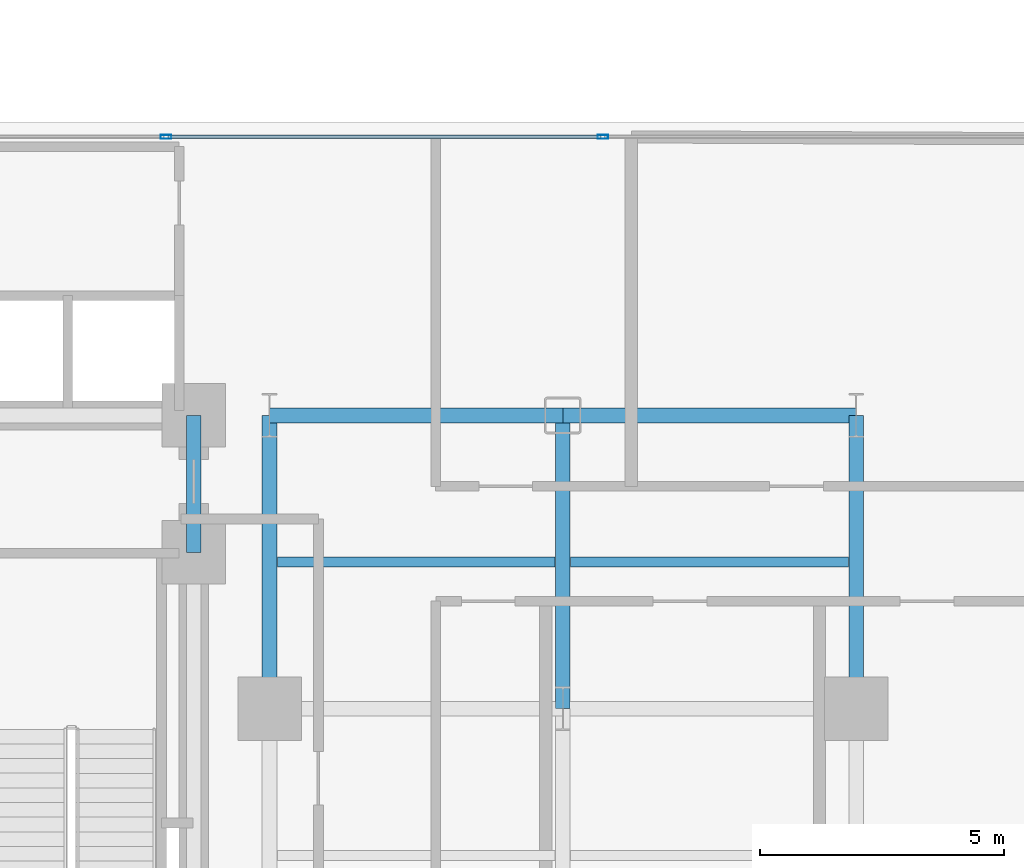
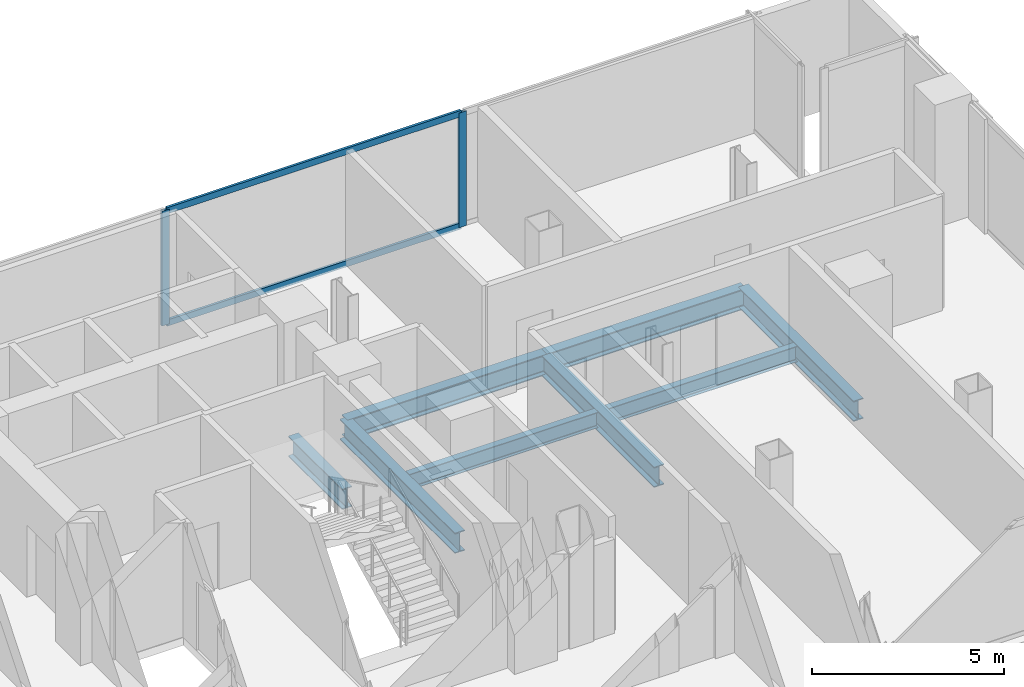
# One storey, part 11 of 25: 8 beams, 4 members, 1 element without a shape of its own.
"""IFC4 building model written with IfcOpenShell, lengths in metres."""

from ifc_helpers import new_model, si_unit, direction, frame, origin, origin_2d, place, context, subcontext, project, spatial, hollow_rectangle, i_section, extrude, material, layer, layer_set, material_profile, profile_set, type_object, element, aggregate, save


model = new_model("IFC4")

# Units and contexts
model_context = context("Model", 3, precision=1e-05, world=origin(), true_north=direction((0.0, 1.0)))
body_context = subcontext(model_context, "Body", "Model", "MODEL_VIEW")
ifc_project = project(units=[si_unit("LENGTHUNIT", "METRE"), si_unit("AREAUNIT", "SQUARE_METRE"), si_unit("VOLUMEUNIT", "CUBIC_METRE"), si_unit("PLANEANGLEUNIT", "RADIAN"), si_unit("MASSUNIT", "GRAM", prefix="KILO"), si_unit("THERMODYNAMICTEMPERATUREUNIT", "KELVIN"), si_unit("POWERUNIT", "WATT")], contexts=[model_context])

# Site, building, storey
site_placement = place(None, origin())
site = spatial("IfcSite", under=ifc_project, at=site_placement, CompositionType="ELEMENT")
building_placement = place(site_placement, origin())
building = spatial("IfcBuilding", under=site, at=building_placement, Name="Svarakhadi Broadcast Tower", CompositionType="ELEMENT")
storey_placement = place(building_placement, frame((0.0, 0.0, 79.199951171875)))
storey = spatial("IfcBuildingStorey", under=building, at=storey_placement, Name="L18", CompositionType="ELEMENT", Elevation=79.199951171875)

# Beams
ifc_material_1 = material(Name="Steel S355J2 (IS 2062 E350C)", Category="steel")
ifc_material_profile_1 = material_profile(ifc_material_1, i_section(OverallWidth=0.199951171875, OverallDepth=0.5, WebThickness=0.01025390625, FlangeThickness=0.01611328125, FilletRadius=0.02099609375, at=origin_2d()), Name="NPB 500x200x91")
ifc_profile_set_1 = profile_set([ifc_material_profile_1], Name="Steel S355J2 (IS 2062 E350C)")
beam_type_1 = type_object("IfcBeamType", Name="Beam_NPB500", PredefinedType="BEAM", material=ifc_profile_set_1)
for number, where, z_axis, x_axis, name in (
    (1, (35.31005859375, 15.0, -0.5), (1.0, 0.0, 0.0), (0.0, 1.0, 0.0), "L18 Secondary Composite Beam SB024"),
    (2, (41.31005859375, 15.0, -0.5), (1.0, 0.0, 0.0), (0.0, 1.0, 0.0), "L18 Secondary Composite Beam SB027"),
):
    element("IfcBeam", number, at=place(storey_placement, frame(where, z_axis=z_axis, x_axis=x_axis)), inside=storey, type_object=beam_type_1, Name=name, PredefinedType="BEAM", context=body_context, shape_type="SweptSolid", body=[
        extrude(i_section(OverallWidth=0.199951171875, OverallDepth=0.5, WebThickness=0.01025390625, FlangeThickness=0.01611328125, FilletRadius=0.02099609375, at=origin_2d()), origin(), (0.0, 0.0, 1.0), 5.679931640625),
    ])

# Curtain wall, members
ifc_material_2 = material(Name="Anodised Bronze Aluminium AA 6063-T6", Category="aluminium")
ifc_layer = layer(ifc_material_2, 0.219970703125)
ifc_layer_set = layer_set([ifc_layer], Name="Anodised Bronze Aluminium AA 6063-T6")
curtain_wall_type = type_object("IfcCurtainWallType", Name="CW_Sys_02", PredefinedType="NOTDEFINED", material=ifc_layer_set)
curtain_wall_placement = place(storey_placement, origin())
curtain_wall = element("IfcCurtainWall", 3, at=curtain_wall_placement, inside=storey, type_object=curtain_wall_type, Name="L18 Unitised Facade Curtain Wall 10", PredefinedType="NOTDEFINED")
ifc_material_profile_2 = material_profile(ifc_material_2, hollow_rectangle(XDim=0.0849609375, YDim=0.219970703125, WallThickness=0.006103515625, at=origin_2d()), Name="ALU MULLION 220x85x6")
ifc_profile_set_2 = profile_set([ifc_material_profile_2], Name="Anodised Bronze Aluminium AA 6063-T6")
member_type_1 = type_object("IfcMemberType", Name="CW_Sys_02_Mul", PredefinedType="MULLION", material=ifc_profile_set_2)
member_1_placement = place(storey_placement, frame((33.030029296875, 23.699951171875, 0.0), z_axis=(0.0, 0.0, 1.0), x_axis=(0.0, 1.0, 0.0)))
member_1 = element("IfcMember", 4, at=member_1_placement, type_object=member_type_1, Name="CW-02 mullion 2", PredefinedType="MULLION", context=body_context, shape_type="SweptSolid", body=[
    extrude(hollow_rectangle(XDim=0.0849609375, YDim=0.219970703125, WallThickness=0.006103515625, at=origin_2d()), origin(), (0.0, 0.0, 1.0), 3.650146484375),
])
member_2_placement = place(storey_placement, frame((41.969970703125, 23.699951171875, 0.0), z_axis=(0.0, 0.0, 1.0), x_axis=(0.0, 1.0, 0.0)))
member_2 = element("IfcMember", 5, at=member_2_placement, type_object=member_type_1, Name="CW-02 mullion 3", PredefinedType="MULLION", context=body_context, shape_type="SweptSolid", body=[
    extrude(hollow_rectangle(XDim=0.0849609375, YDim=0.219970703125, WallThickness=0.006103515625, at=origin_2d()), origin(), (0.0, 0.0, 1.0), 3.650146484375),
])
ifc_material_profile_3 = material_profile(ifc_material_2, hollow_rectangle(XDim=0.074951171875, YDim=0.199951171875, WallThickness=0.0048828125, at=origin_2d()), Name="ALU TRANSOM 200x75x5")
ifc_profile_set_3 = profile_set([ifc_material_profile_3], Name="Anodised Bronze Aluminium AA 6063-T6")
member_type_2 = type_object("IfcMemberType", Name="CW_Sys_02_Trn", PredefinedType="USERDEFINED", material=ifc_profile_set_3)
member_3_placement = place(storey_placement, frame((33.072509765625, 23.699951171875, 0.03759765625), z_axis=(1.0, 0.0, 0.0), x_axis=(0.0, 1.0, 0.0)))
member_3 = element("IfcMember", 6, at=member_3_placement, type_object=member_type_2, Name="CW-02 transom 2.1", ObjectType="TRANSOM", PredefinedType="USERDEFINED", context=body_context, shape_type="SweptSolid", body=[
    extrude(hollow_rectangle(XDim=0.074951171875, YDim=0.199951171875, WallThickness=0.0048828125, at=origin_2d()), origin(), (0.0, 0.0, 1.0), 8.85498046875),
])
member_4_placement = place(storey_placement, frame((33.072509765625, 23.699951171875, 3.612548828125), z_axis=(1.0, 0.0, 0.0), x_axis=(0.0, 1.0, 0.0)))
member_4 = element("IfcMember", 7, at=member_4_placement, type_object=member_type_2, Name="CW-02 transom 2.2", ObjectType="TRANSOM", PredefinedType="USERDEFINED", context=body_context, shape_type="SweptSolid", body=[
    extrude(hollow_rectangle(XDim=0.074951171875, YDim=0.199951171875, WallThickness=0.0048828125, at=origin_2d()), origin(), (0.0, 0.0, 1.0), 8.85498046875),
])
aggregate(curtain_wall, [member_1, member_2, member_3, member_4])

# Beams
ifc_material_profile_4 = material_profile(ifc_material_1, i_section(OverallWidth=0.300048828125, OverallDepth=0.64990234375, WebThickness=0.01611328125, FlangeThickness=0.031005859375, FilletRadius=0.027099609375, at=origin_2d()), Name="WPB 650x300x225")
ifc_profile_set_4 = profile_set([ifc_material_profile_4], Name="Steel S355J2 (IS 2062 E350C)")
beam_type_2 = type_object("IfcBeamType", Name="Girder_WPB650", PredefinedType="USERDEFINED", material=ifc_profile_set_4)
for number, where, z_axis, x_axis, name in (
    (8, (35.14990234375, 18.0, -0.574951171875), (1.0, 0.0, 0.0), (0.0, 1.0, 0.0), "L18 Primary E-W Girder G030"),
    (9, (41.14990234375, 18.0, -0.574951171875), (1.0, 0.0, 0.0), (0.0, 1.0, 0.0), "L18 Primary E-W Girder G031"),
):
    element("IfcBeam", number, at=place(storey_placement, frame(where, z_axis=z_axis, x_axis=x_axis)), inside=storey, type_object=beam_type_2, Name=name, ObjectType="GIRDER", PredefinedType="USERDEFINED", context=body_context, shape_type="SweptSolid", body=[
        extrude(i_section(OverallWidth=0.300048828125, OverallDepth=0.64990234375, WebThickness=0.01611328125, FlangeThickness=0.031005859375, FilletRadius=0.027099609375, at=origin_2d()), origin(), (0.0, 0.0, 1.0), 6.0),
    ])
beam_placement = place(storey_placement, frame((33.60009765625, 15.199951171875, -0.574951171875), z_axis=(0.0, 1.0, 0.0), x_axis=(-1.0, 0.0, 0.0)))
element("IfcBeam", 10, at=beam_placement, inside=storey, type_object=beam_type_2, Name="L18 Primary N-S Girder G075", ObjectType="GIRDER", PredefinedType="USERDEFINED", context=body_context, shape_type="SweptSolid", body=[
    extrude(i_section(OverallWidth=0.300048828125, OverallDepth=0.64990234375, WebThickness=0.01611328125, FlangeThickness=0.031005859375, FilletRadius=0.027099609375, at=origin_2d()), origin(), (0.0, 0.0, 1.0), 2.800048828125),
])
for number, where, z_axis, x_axis, name in (
    (11, (35.14990234375, 12.0, -0.574951171875), (0.0, 1.0, 0.0), (-1.0, 0.0, 0.0), "L18 Primary N-S Girder G078"),
    (12, (41.14990234375, 12.0, -0.574951171875), (0.0, 1.0, 0.0), (-1.0, 0.0, 0.0), "L18 Primary N-S Girder G081"),
    (13, (47.14990234375, 12.0, -0.574951171875), (0.0, 1.0, 0.0), (-1.0, 0.0, 0.0), "L18 Primary N-S Girder G084"),
):
    element("IfcBeam", number, at=place(storey_placement, frame(where, z_axis=z_axis, x_axis=x_axis)), inside=storey, type_object=beam_type_2, Name=name, ObjectType="GIRDER", PredefinedType="USERDEFINED", context=body_context, shape_type="SweptSolid", body=[
        extrude(i_section(OverallWidth=0.300048828125, OverallDepth=0.64990234375, WebThickness=0.01611328125, FlangeThickness=0.031005859375, FilletRadius=0.027099609375, at=origin_2d()), origin(), (0.0, 0.0, 1.0), 6.0),
    ])

save(model, "model.ifc")
